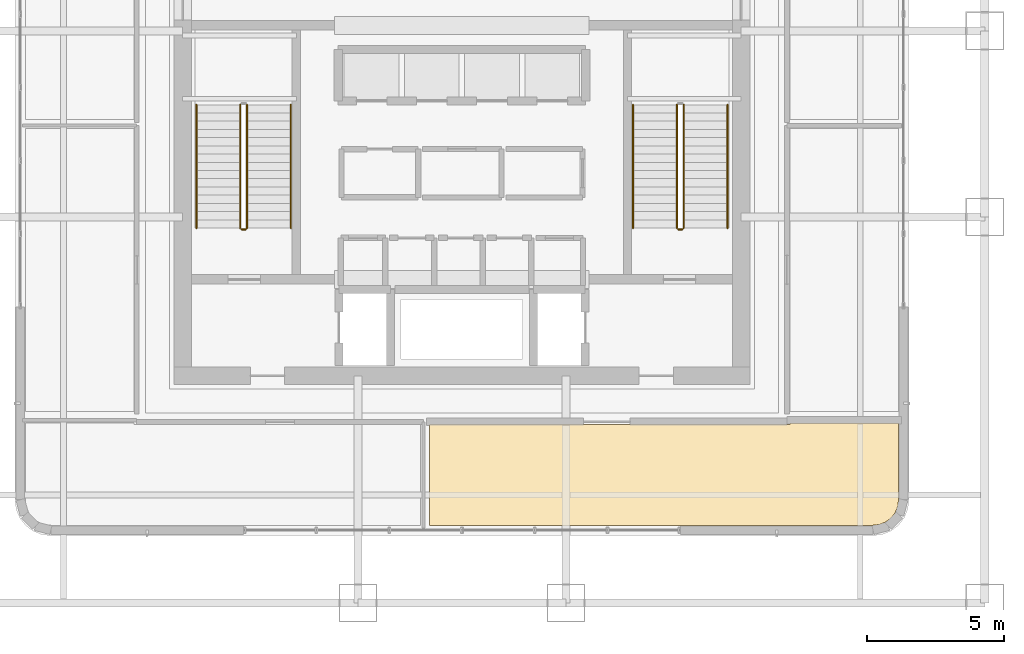
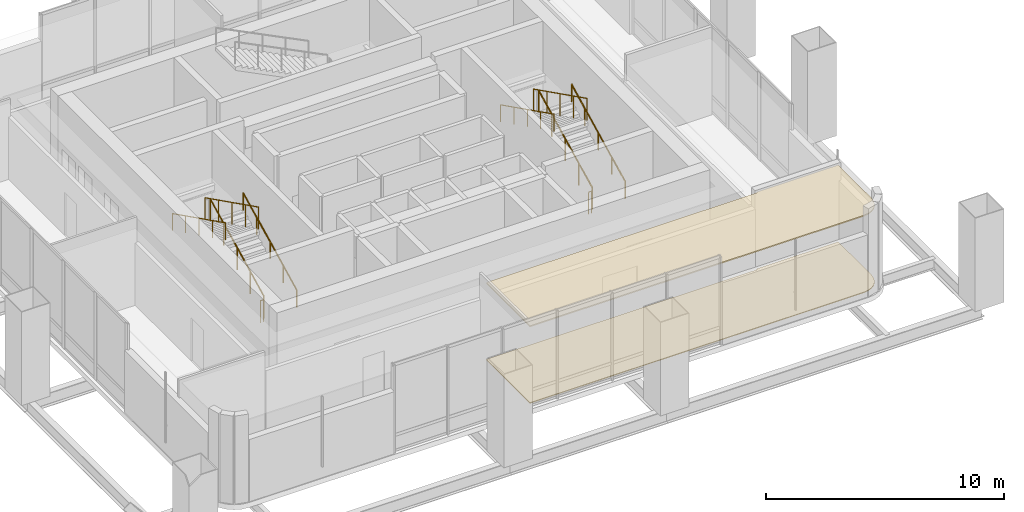
# One storey, part 22 of 30: 10 railings, 2 coverings.
"""IFC4 building model written with IfcOpenShell, lengths in metres."""

from ifc_helpers import new_model, si_unit, direction, frame, origin, origin_2d, place, context, subcontext, project, spatial, polyline, circle, outline, extrude, material, layer, layer_set, type_object, element, save


model = new_model("IFC4")

# Units and contexts
model_context = context("Model", 3, precision=1e-05, world=origin(), true_north=direction((0.0, 1.0)))
body_context = subcontext(model_context, "Body", "Model", "MODEL_VIEW")
ifc_project = project(units=[si_unit("LENGTHUNIT", "METRE"), si_unit("AREAUNIT", "SQUARE_METRE"), si_unit("VOLUMEUNIT", "CUBIC_METRE"), si_unit("PLANEANGLEUNIT", "RADIAN"), si_unit("MASSUNIT", "GRAM", prefix="KILO")], contexts=[model_context])

# Site, building, storey
site_placement = place(None, origin())
site = spatial("IfcSite", under=ifc_project, at=site_placement, CompositionType="ELEMENT")
building_placement = place(site_placement, origin())
building = spatial("IfcBuilding", under=site, at=building_placement, Name="Punatoya Terracotta Tower", CompositionType="ELEMENT")
storey_placement = place(building_placement, frame((0.0, 0.0, 135.0)))
storey = spatial("IfcBuildingStorey", under=building, at=storey_placement, Name="L31", CompositionType="ELEMENT", Elevation=135.0)

# Coverings
ifc_material_1 = material(Name="Acoustic Mineral Fibre Ceiling")
ifc_layer_1 = layer(ifc_material_1, 0.06005859375)
ifc_layer_set_1 = layer_set([ifc_layer_1], Name="Acoustic Mineral Fibre Ceiling")
covering_type_1 = type_object("IfcCoveringType", Name="COV-CEIL-60", PredefinedType="CEILING", material=ifc_layer_set_1)
covering_1_placement = place(storey_placement, frame((0.0, 0.0, 3.929931640625)))
element("IfcCovering", 1, at=covering_1_placement, inside=storey, type_object=covering_type_1, Name="L31 Waterfront Espresso Bistro Acoustic Ceiling", PredefinedType="CEILING", context=body_context, shape_type="SweptSolid", body=[
    extrude(outline(polyline([(11.97998046875, -10.97998046875), (-1.18603515625, -10.97998046875), (-1.18603515625, -14.659912109375), (15.005126953125, -14.659912109375), (15.267333984375, -14.62548828125), (15.48828125, -14.533935546875), (15.67822265625, -14.38818359375), (15.823974609375, -14.1982421875), (15.91552734375, -13.977294921875), (15.949951171875, -13.715087890625), (15.949951171875, -10.919921875), (11.97998046875, -10.919921875), (11.97998046875, -10.97998046875)])), origin(), (0.0, 0.0, 1.0), 0.06005859375),
])
ifc_material_2 = material(Name="Sandstone & Raised Access Flooring", Category="masonry")
ifc_layer_2 = layer(ifc_material_2, 0.080078125)
ifc_layer_set_2 = layer_set([ifc_layer_2], Name="Sandstone & Raised Access Flooring")
covering_type_2 = type_object("IfcCoveringType", Name="COV-FLR-80", PredefinedType="FLOORING", material=ifc_layer_set_2)
covering_2_placement = place(storey_placement, origin())
element("IfcCovering", 2, at=covering_2_placement, inside=storey, type_object=covering_type_2, Name="L31 Waterfront Espresso Bistro Stone Floor Finish", PredefinedType="FLOORING", context=body_context, shape_type="SweptSolid", body=[
    extrude(outline(polyline([(11.97998046875, -10.97998046875), (-1.18603515625, -10.97998046875), (-1.18603515625, -14.659912109375), (15.005126953125, -14.659912109375), (15.267333984375, -14.62548828125), (15.48828125, -14.533935546875), (15.67822265625, -14.38818359375), (15.823974609375, -14.1982421875), (15.91552734375, -13.977294921875), (15.949951171875, -13.715087890625), (15.949951171875, -10.919921875), (11.97998046875, -10.919921875), (11.97998046875, -10.97998046875)])), origin(), (0.0, 0.0, 1.0), 0.0400390625),
])

# Railings
ifc_material_3 = material(Name="Steel S355", Category="steel")
railing_type_1 = type_object("IfcRailingType", Name="RLG-GRD-1150", PredefinedType="GUARDRAIL", material=ifc_material_3)
railing_1_placement = place(storey_placement, frame((-7.85009765625, -3.800048828125, 0.14990234375)))
element("IfcRailing", 3, at=railing_1_placement, inside=storey, type_object=railing_type_1, Name="L31 ST-1 stair guard 1", PredefinedType="GUARDRAIL", context=body_context, shape_type="SweptSolid", body=[
    extrude(circle(Radius=0.02392578125, at=origin_2d()), frame((0.0, 0.0, 1.1259765625), z_axis=(0.0, 0.894427191, 0.4472135955), x_axis=(-1.0, 0.0, 0.0)), (0.0, 0.0, 1.0), 5.03125),
    extrude(circle(Radius=0.02099609375, at=origin_2d()), origin(), (0.0, 0.0, 1.0), 1.101806640625),
    extrude(circle(Radius=0.02099609375, at=origin_2d()), frame((0.0, 1.125, 0.5625)), (0.0, 0.0, 1.0), 1.101806640625),
    extrude(circle(Radius=0.02099609375, at=origin_2d()), frame((0.0, 2.25, 1.125)), (0.0, 0.0, 1.0), 1.101806640625),
    extrude(circle(Radius=0.02099609375, at=origin_2d()), frame((0.0, 3.375, 1.6875)), (0.0, 0.0, 1.0), 1.101806640625),
    extrude(circle(Radius=0.02099609375, at=origin_2d()), frame((0.0, 4.5, 2.25)), (0.0, 0.0, 1.0), 1.101806640625),
])
railing_2_placement = place(storey_placement, frame((-8.10009765625, 0.699951171875, 2.550048828125)))
element("IfcRailing", 4, at=railing_2_placement, inside=storey, type_object=railing_type_1, Name="L31 ST-1 stair guard 3", PredefinedType="GUARDRAIL", context=body_context, shape_type="SweptSolid", body=[
    extrude(circle(Radius=0.02392578125, at=origin_2d()), frame((0.0, 0.0, 1.1259765625), z_axis=(0.0, -0.894427191, 0.4472135955), x_axis=(1.0, 0.0, 0.0)), (0.0, 0.0, 1.0), 5.03125),
    extrude(circle(Radius=0.02099609375, at=origin_2d()), origin(), (0.0, 0.0, 1.0), 1.101806640625),
    extrude(circle(Radius=0.02099609375, at=origin_2d()), frame((0.0, -1.125, 0.5625)), (0.0, 0.0, 1.0), 1.101806640625),
    extrude(circle(Radius=0.02099609375, at=origin_2d()), frame((0.0, -2.25, 1.125)), (0.0, 0.0, 1.0), 1.101806640625),
    extrude(circle(Radius=0.02099609375, at=origin_2d()), frame((0.0, -3.375, 1.6875)), (0.0, 0.0, 1.0), 1.101806640625),
    extrude(circle(Radius=0.02099609375, at=origin_2d()), frame((0.0, -4.5, 2.25)), (0.0, 0.0, 1.0), 1.101806640625),
])
railing_3_placement = place(storey_placement, frame((-7.89990234375, -3.85009765625, 0.0)))
element("IfcRailing", 5, at=railing_3_placement, inside=storey, type_object=railing_type_1, Name="L31 ST-1 stair guard 4", PredefinedType="GUARDRAIL", context=body_context, shape_type="SweptSolid", body=[
    extrude(circle(Radius=0.02392578125, at=origin_2d()), frame((0.0, 0.0, 1.1259765625), z_axis=(-1.0, 0.0, 0.0), x_axis=(0.0, -1.0, 0.0)), (0.0, 0.0, 1.0), 0.150146484375),
    extrude(circle(Radius=0.02099609375, at=origin_2d()), origin(), (0.0, 0.0, 1.0), 1.101806640625),
    extrude(circle(Radius=0.02099609375, at=origin_2d()), frame((-0.150146484375, 0.0, 0.0)), (0.0, 0.0, 1.0), 1.101806640625),
])
railing_4_placement = place(storey_placement, frame((8.10009765625, -3.800048828125, 0.14990234375)))
element("IfcRailing", 6, at=railing_4_placement, inside=storey, type_object=railing_type_1, Name="L31 ST-2 stair guard 1", PredefinedType="GUARDRAIL", context=body_context, shape_type="SweptSolid", body=[
    extrude(circle(Radius=0.02392578125, at=origin_2d()), frame((0.0, 0.0, 1.1259765625), z_axis=(0.0, 0.894427191, 0.4472135955), x_axis=(-1.0, 0.0, 0.0)), (0.0, 0.0, 1.0), 5.03125),
    extrude(circle(Radius=0.02099609375, at=origin_2d()), origin(), (0.0, 0.0, 1.0), 1.101806640625),
    extrude(circle(Radius=0.02099609375, at=origin_2d()), frame((0.0, 1.125, 0.5625)), (0.0, 0.0, 1.0), 1.101806640625),
    extrude(circle(Radius=0.02099609375, at=origin_2d()), frame((0.0, 2.25, 1.125)), (0.0, 0.0, 1.0), 1.101806640625),
    extrude(circle(Radius=0.02099609375, at=origin_2d()), frame((0.0, 3.375, 1.6875)), (0.0, 0.0, 1.0), 1.101806640625),
    extrude(circle(Radius=0.02099609375, at=origin_2d()), frame((0.0, 4.5, 2.25)), (0.0, 0.0, 1.0), 1.101806640625),
])
railing_5_placement = place(storey_placement, frame((7.85009765625, 0.699951171875, 2.550048828125)))
element("IfcRailing", 7, at=railing_5_placement, inside=storey, type_object=railing_type_1, Name="L31 ST-2 stair guard 3", PredefinedType="GUARDRAIL", context=body_context, shape_type="SweptSolid", body=[
    extrude(circle(Radius=0.02392578125, at=origin_2d()), frame((0.0, 0.0, 1.1259765625), z_axis=(0.0, -0.894427191, 0.4472135955), x_axis=(1.0, 0.0, 0.0)), (0.0, 0.0, 1.0), 5.03125),
    extrude(circle(Radius=0.02099609375, at=origin_2d()), origin(), (0.0, 0.0, 1.0), 1.101806640625),
    extrude(circle(Radius=0.02099609375, at=origin_2d()), frame((0.0, -1.125, 0.5625)), (0.0, 0.0, 1.0), 1.101806640625),
    extrude(circle(Radius=0.02099609375, at=origin_2d()), frame((0.0, -2.25, 1.125)), (0.0, 0.0, 1.0), 1.101806640625),
    extrude(circle(Radius=0.02099609375, at=origin_2d()), frame((0.0, -3.375, 1.6875)), (0.0, 0.0, 1.0), 1.101806640625),
    extrude(circle(Radius=0.02099609375, at=origin_2d()), frame((0.0, -4.5, 2.25)), (0.0, 0.0, 1.0), 1.101806640625),
])
railing_6_placement = place(storey_placement, frame((8.050048828125, -3.85009765625, 0.0)))
element("IfcRailing", 8, at=railing_6_placement, inside=storey, type_object=railing_type_1, Name="L31 ST-2 stair guard 4", PredefinedType="GUARDRAIL", context=body_context, shape_type="SweptSolid", body=[
    extrude(circle(Radius=0.02392578125, at=origin_2d()), frame((0.0, 0.0, 1.1259765625), z_axis=(-1.0, 0.0, 0.0), x_axis=(0.0, -1.0, 0.0)), (0.0, 0.0, 1.0), 0.150146484375),
    extrude(circle(Radius=0.02099609375, at=origin_2d()), origin(), (0.0, 0.0, 1.0), 1.101806640625),
    extrude(circle(Radius=0.02099609375, at=origin_2d()), frame((-0.150146484375, 0.0, 0.0)), (0.0, 0.0, 1.0), 1.101806640625),
])
railing_type_2 = type_object("IfcRailingType", Name="RLG-HND-900", PredefinedType="HANDRAIL", material=ifc_material_3)
railing_7_placement = place(storey_placement, frame((-6.25, -3.800048828125, 0.14990234375)))
element("IfcRailing", 9, at=railing_7_placement, inside=storey, type_object=railing_type_2, Name="L31 ST-1 stair handrail 1", PredefinedType="HANDRAIL", context=body_context, shape_type="SweptSolid", body=[
    extrude(circle(Radius=0.02392578125, at=origin_2d()), frame((0.0, 0.0, 0.8759765625), z_axis=(0.0, 0.894427191, 0.4472135955), x_axis=(-1.0, 0.0, 0.0)), (0.0, 0.0, 1.0), 5.03125),
    extrude(circle(Radius=0.02099609375, at=origin_2d()), origin(), (0.0, 0.0, 1.0), 0.851806640625),
    extrude(circle(Radius=0.02099609375, at=origin_2d()), frame((0.0, 1.125, 0.5625)), (0.0, 0.0, 1.0), 0.851806640625),
    extrude(circle(Radius=0.02099609375, at=origin_2d()), frame((0.0, 2.25, 1.125)), (0.0, 0.0, 1.0), 0.851806640625),
    extrude(circle(Radius=0.02099609375, at=origin_2d()), frame((0.0, 3.375, 1.6875)), (0.0, 0.0, 1.0), 0.851806640625),
    extrude(circle(Radius=0.02099609375, at=origin_2d()), frame((0.0, 4.5, 2.25)), (0.0, 0.0, 1.0), 0.851806640625),
])
railing_8_placement = place(storey_placement, frame((-9.699951171875, 0.699951171875, 2.550048828125)))
element("IfcRailing", 10, at=railing_8_placement, inside=storey, type_object=railing_type_2, Name="L31 ST-1 stair handrail 2", PredefinedType="HANDRAIL", context=body_context, shape_type="SweptSolid", body=[
    extrude(circle(Radius=0.02392578125, at=origin_2d()), frame((0.0, 0.0, 0.8759765625), z_axis=(0.0, -0.894427191, 0.4472135955), x_axis=(1.0, 0.0, 0.0)), (0.0, 0.0, 1.0), 5.03125),
    extrude(circle(Radius=0.02099609375, at=origin_2d()), origin(), (0.0, 0.0, 1.0), 0.851806640625),
    extrude(circle(Radius=0.02099609375, at=origin_2d()), frame((0.0, -1.125, 0.5625)), (0.0, 0.0, 1.0), 0.851806640625),
    extrude(circle(Radius=0.02099609375, at=origin_2d()), frame((0.0, -2.25, 1.125)), (0.0, 0.0, 1.0), 0.851806640625),
    extrude(circle(Radius=0.02099609375, at=origin_2d()), frame((0.0, -3.375, 1.6875)), (0.0, 0.0, 1.0), 0.851806640625),
    extrude(circle(Radius=0.02099609375, at=origin_2d()), frame((0.0, -4.5, 2.25)), (0.0, 0.0, 1.0), 0.851806640625),
])
railing_9_placement = place(storey_placement, frame((9.699951171875, -3.800048828125, 0.14990234375)))
element("IfcRailing", 11, at=railing_9_placement, inside=storey, type_object=railing_type_2, Name="L31 ST-2 stair handrail 1", PredefinedType="HANDRAIL", context=body_context, shape_type="SweptSolid", body=[
    extrude(circle(Radius=0.02392578125, at=origin_2d()), frame((0.0, 0.0, 0.8759765625), z_axis=(0.0, 0.894427191, 0.4472135955), x_axis=(-1.0, 0.0, 0.0)), (0.0, 0.0, 1.0), 5.03125),
    extrude(circle(Radius=0.02099609375, at=origin_2d()), origin(), (0.0, 0.0, 1.0), 0.851806640625),
    extrude(circle(Radius=0.02099609375, at=origin_2d()), frame((0.0, 1.125, 0.5625)), (0.0, 0.0, 1.0), 0.851806640625),
    extrude(circle(Radius=0.02099609375, at=origin_2d()), frame((0.0, 2.25, 1.125)), (0.0, 0.0, 1.0), 0.851806640625),
    extrude(circle(Radius=0.02099609375, at=origin_2d()), frame((0.0, 3.375, 1.6875)), (0.0, 0.0, 1.0), 0.851806640625),
    extrude(circle(Radius=0.02099609375, at=origin_2d()), frame((0.0, 4.5, 2.25)), (0.0, 0.0, 1.0), 0.851806640625),
])
railing_10_placement = place(storey_placement, frame((6.25, 0.699951171875, 2.550048828125)))
element("IfcRailing", 12, at=railing_10_placement, inside=storey, type_object=railing_type_2, Name="L31 ST-2 stair handrail 2", PredefinedType="HANDRAIL", context=body_context, shape_type="SweptSolid", body=[
    extrude(circle(Radius=0.02392578125, at=origin_2d()), frame((0.0, 0.0, 0.8759765625), z_axis=(0.0, -0.894427191, 0.4472135955), x_axis=(1.0, 0.0, 0.0)), (0.0, 0.0, 1.0), 5.03125),
    extrude(circle(Radius=0.02099609375, at=origin_2d()), origin(), (0.0, 0.0, 1.0), 0.851806640625),
    extrude(circle(Radius=0.02099609375, at=origin_2d()), frame((0.0, -1.125, 0.5625)), (0.0, 0.0, 1.0), 0.851806640625),
    extrude(circle(Radius=0.02099609375, at=origin_2d()), frame((0.0, -2.25, 1.125)), (0.0, 0.0, 1.0), 0.851806640625),
    extrude(circle(Radius=0.02099609375, at=origin_2d()), frame((0.0, -3.375, 1.6875)), (0.0, 0.0, 1.0), 0.851806640625),
    extrude(circle(Radius=0.02099609375, at=origin_2d()), frame((0.0, -4.5, 2.25)), (0.0, 0.0, 1.0), 0.851806640625),
])

save(model, "model.ifc")
